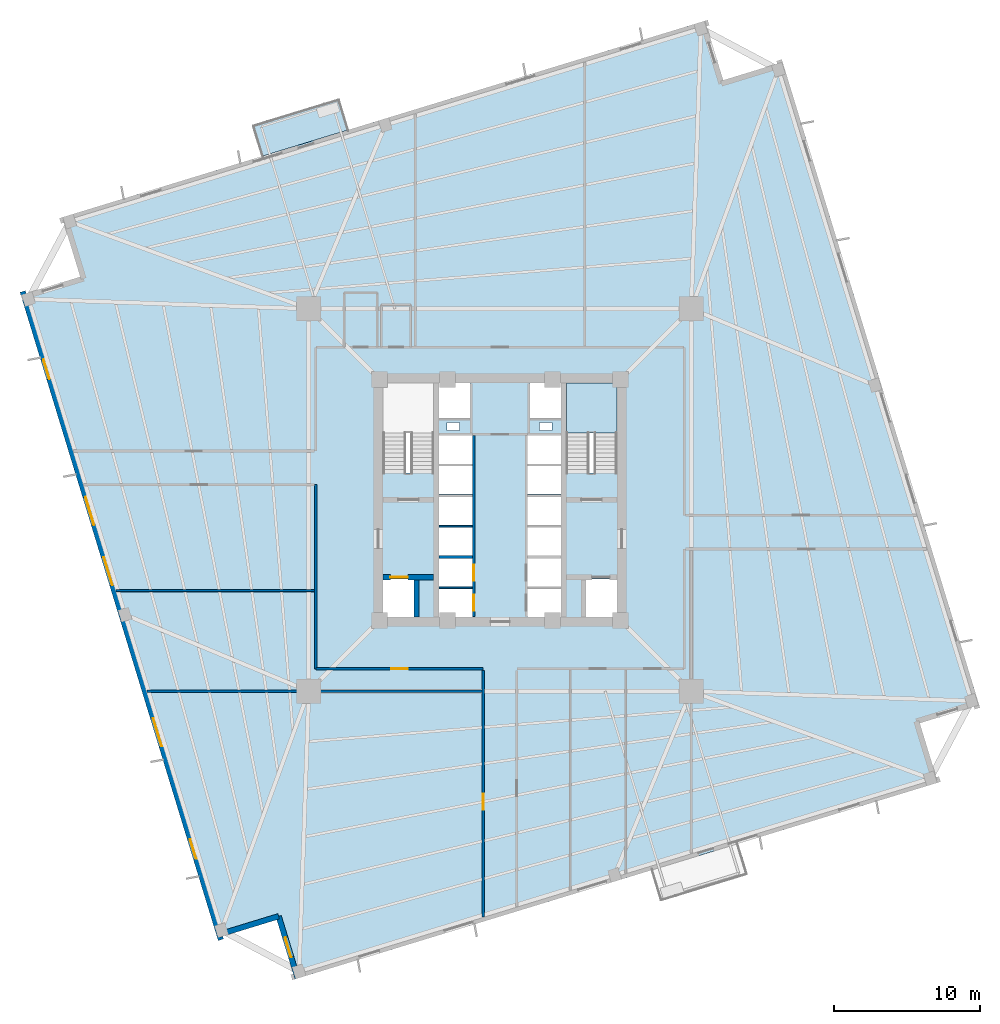
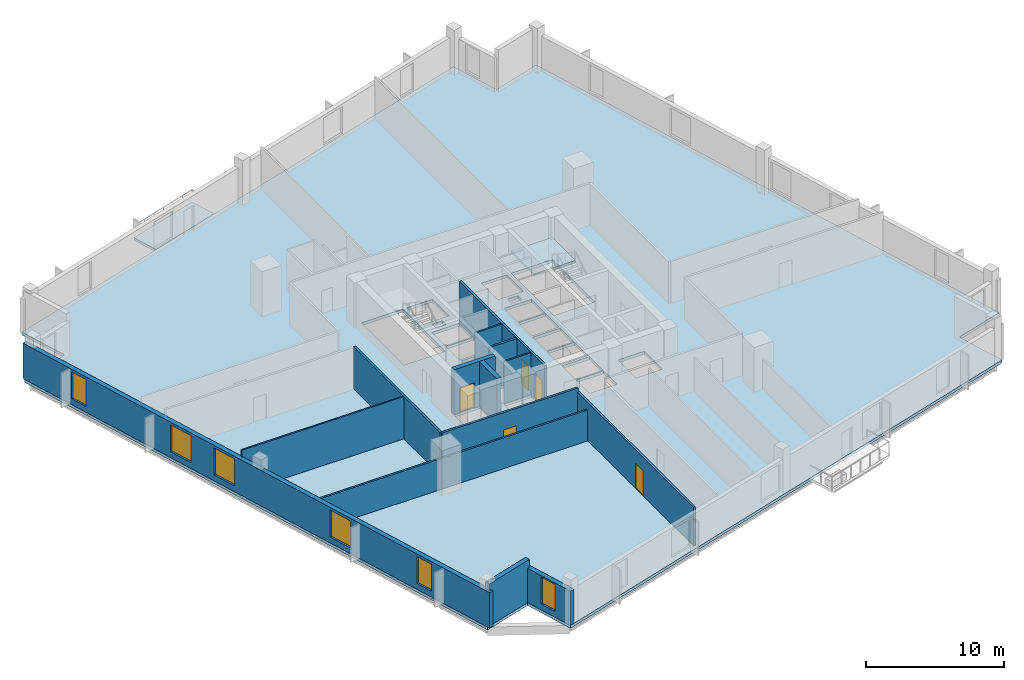
# One storey, part 2 of 8: 14 walls, 6 windows, 5 doors, 3 slabs, 11 openings, 1 element without a shape of its own.
"""IFC4 building model written with IfcOpenShell, lengths in metres."""

from ifc_helpers import new_model, si_unit, direction, frame, frame_2d, origin, place, context, subcontext, project, spatial, polyline, rectangle, outline, extrude, source, transform, mapped, material, layer, layer_set, type_object, element, fill, aggregate, save


model = new_model("IFC4")

# Units and contexts
model_context = context("Model", 3, precision=1e-05, world=origin(), true_north=direction((0.0, 1.0)))
body_context = subcontext(model_context, "Body", "Model", "MODEL_VIEW")
ifc_project = project(units=[si_unit("LENGTHUNIT", "METRE"), si_unit("AREAUNIT", "SQUARE_METRE"), si_unit("VOLUMEUNIT", "CUBIC_METRE"), si_unit("PLANEANGLEUNIT", "RADIAN"), si_unit("MASSUNIT", "GRAM", prefix="KILO"), si_unit("THERMODYNAMICTEMPERATUREUNIT", "KELVIN")], contexts=[model_context])

# Site, building, storey
site_placement = place(None, origin())
site = spatial("IfcSite", under=ifc_project, at=site_placement, CompositionType="ELEMENT")
building_placement = place(site_placement, origin())
building = spatial("IfcBuilding", under=site, at=building_placement, Name="Kosmvard Interchange Tower", CompositionType="ELEMENT")
storey_placement = place(building_placement, frame((0.0, 0.0, 111.199951171875)))
storey = spatial("IfcBuildingStorey", under=building, at=storey_placement, Name="L26", CompositionType="ELEMENT", Elevation=111.199951171875)

# Slab
ifc_material_1 = material(Name="Concrete C50/60", Category="concrete")
ifc_layer_1 = layer(ifc_material_1, 0.260009765625, Name="Concrete C50/60")
ifc_layer_set_1 = layer_set([ifc_layer_1], Name="Concrete C50/60")
slab_type_1 = type_object("IfcSlabType", Name="Mid-Rise Office Composite Slab 260 C50/60", PredefinedType="FLOOR", material=ifc_layer_set_1)
slab_1_placement = place(storey_placement, frame((0.0, 0.0, -0.260009765625)))
element("IfcSlab", 1, at=slab_1_placement, inside=storey, type_object=slab_type_1, Name="L26 Structural Floor Slab", PredefinedType="FLOOR", context=body_context, shape_type="SweptSolid", body=[
    extrude(outline(polyline([(-14.02783203125, -32.783935546875), (29.962158203125, -19.334716796875), (28.719482421875, -15.2705078125), (32.783935546875, -14.02783203125), (19.334716796875, 29.962158203125), (15.2705078125, 28.719482421875), (14.02783203125, 32.783935546875), (-29.962158203125, 19.334716796875), (-28.719482421875, 15.2705078125), (-32.783935546875, 14.02783203125), (-19.334716796875, -29.962158203125), (-15.2705078125, -28.719482421875), (-14.02783203125, -32.783935546875)]), holes=[polyline([(-8.0, 1.8349609375), (-4.5400390625, 1.8349609375), (-4.5400390625, 8.0), (-8.0, 8.0), (-8.0, 1.8349609375)]), polyline([(4.5400390625, 1.8349609375), (8.0, 1.8349609375), (8.0, 8.0), (4.5400390625, 8.0), (4.5400390625, 1.8349609375)]), polyline([(-8.0, -8.0), (-5.800048828125, -8.0), (-5.800048828125, -5.39990234375), (-8.0, -5.39990234375), (-8.0, -8.0)]), polyline([(5.800048828125, -8.0), (8.0, -8.0), (8.0, -5.39990234375), (5.800048828125, -5.39990234375), (5.800048828125, -8.0)]), polyline([(-4.179931640625, -8.0), (-1.8798828125, -8.0), (-1.8798828125, -6.06005859375), (-4.179931640625, -6.06005859375), (-4.179931640625, -8.0)]), polyline([(-4.179931640625, -5.93994140625), (-1.8798828125, -5.93994140625), (-1.8798828125, -4.0), (-4.179931640625, -4.0), (-4.179931640625, -5.93994140625)]), polyline([(1.8798828125, -8.0), (4.179931640625, -8.0), (4.179931640625, -6.06005859375), (1.8798828125, -6.06005859375), (1.8798828125, -8.0)]), polyline([(1.8798828125, -5.93994140625), (4.179931640625, -5.93994140625), (4.179931640625, -4.0), (1.8798828125, -4.0), (1.8798828125, -5.93994140625)]), polyline([(-4.179931640625, -3.800048828125), (-1.8798828125, -3.800048828125), (-1.8798828125, -1.860107421875), (-4.179931640625, -1.860107421875), (-4.179931640625, -3.800048828125)]), polyline([(-4.179931640625, -1.739990234375), (-1.8798828125, -1.739990234375), (-1.8798828125, 0.199951171875), (-4.179931640625, 0.199951171875), (-4.179931640625, -1.739990234375)]), polyline([(1.8798828125, -3.800048828125), (4.179931640625, -3.800048828125), (4.179931640625, -1.860107421875), (1.8798828125, -1.860107421875), (1.8798828125, -3.800048828125)]), polyline([(1.8798828125, -1.739990234375), (4.179931640625, -1.739990234375), (4.179931640625, 0.199951171875), (1.8798828125, 0.199951171875), (1.8798828125, -1.739990234375)]), polyline([(-4.179931640625, 0.39990234375), (-1.8798828125, 0.39990234375), (-1.8798828125, 2.340087890625), (-4.179931640625, 2.340087890625), (-4.179931640625, 0.39990234375)]), polyline([(-4.179931640625, 2.4599609375), (-1.8798828125, 2.4599609375), (-1.8798828125, 4.39990234375), (-4.179931640625, 4.39990234375), (-4.179931640625, 2.4599609375)]), polyline([(1.8798828125, 0.39990234375), (4.179931640625, 0.39990234375), (4.179931640625, 2.340087890625), (1.8798828125, 2.340087890625), (1.8798828125, 0.39990234375)]), polyline([(1.8798828125, 2.4599609375), (4.179931640625, 2.4599609375), (4.179931640625, 4.39990234375), (1.8798828125, 4.39990234375), (1.8798828125, 2.4599609375)]), polyline([(-4.179931640625, 5.60009765625), (-2.0400390625, 5.60009765625), (-2.0400390625, 8.0), (-4.179931640625, 8.0), (-4.179931640625, 5.60009765625)]), polyline([(2.0400390625, 5.60009765625), (4.179931640625, 5.60009765625), (4.179931640625, 8.0), (2.0400390625, 8.0), (2.0400390625, 5.60009765625)]), polyline([(-3.614990234375, 4.739990234375), (-2.764892578125, 4.739990234375), (-2.764892578125, 5.2900390625), (-3.614990234375, 5.2900390625), (-3.614990234375, 4.739990234375)]), polyline([(2.715087890625, 4.739990234375), (3.56494140625, 4.739990234375), (3.56494140625, 5.2900390625), (2.715087890625, 5.2900390625), (2.715087890625, 4.739990234375)])]), origin(), (0.0, 0.0, 1.0), 0.260009765625),
])

# Stair, slab
stair_type = type_object("IfcStairType", Name="Dog-Leg Core Exit Stair H4000 C50/60", PredefinedType="HALF_TURN_STAIR", material=ifc_material_1)
stair_placement = place(storey_placement, origin())
stair = element("IfcStair", 2, at=stair_placement, inside=storey, type_object=stair_type, Name="L26 Protected Exit Stair ST-2", PredefinedType="HALF_TURN_STAIR")
ifc_layer_2 = layer(ifc_material_1, 0.199951171875, Name="Concrete C50/60")
ifc_layer_set_2 = layer_set([ifc_layer_2], Name="Concrete C50/60")
slab_type_2 = type_object("IfcSlabType", Name="Stair Half-Landing Slab 200 C50/60", PredefinedType="LANDING", material=ifc_layer_set_2)
slab_2_placement = place(storey_placement, frame((0.0, 0.0, 1.800048828125)))
slab_2 = element("IfcSlab", 3, at=slab_2_placement, type_object=slab_type_2, Name="ST-2 landing 1", PredefinedType="LANDING", context=body_context, shape_type="SweptSolid", body=[
    extrude(outline(polyline([(8.0, 4.60009765625), (8.0, 8.0), (4.5400390625, 8.0), (4.5400390625, 4.60009765625), (8.0, 4.60009765625)])), origin(), (0.0, 0.0, 1.0), 0.199951171875),
])
aggregate(stair, [slab_2])

# Slab
ifc_layer_3 = layer(ifc_material_1, 0.22998046875, Name="Concrete C50/60")
ifc_layer_set_3 = layer_set([ifc_layer_3], Name="Concrete C50/60")
slab_type_3 = type_object("IfcSlabType", Name="Tree-Planter Cantilever Balcony Slab 230 C50/60", PredefinedType="FLOOR", material=ifc_layer_set_3)
slab_3_placement = place(storey_placement, frame((0.0, 0.0, -0.22998046875)))
element("IfcSlab", 4, at=slab_3_placement, inside=storey, type_object=slab_type_3, Name="L26 Outdoor Terrace Balcony Slab BAL-L26-NE", PredefinedType="FLOOR", context=body_context, shape_type="SweptSolid", body=[
    extrude(outline(polyline([(-16.286865234375, 23.515625), (-10.35791015625, 25.328369140625), (-11.001220703125, 27.43212890625), (-16.93017578125, 25.61962890625), (-16.286865234375, 23.515625)])), origin(), (0.0, 0.0, 1.0), 0.22998046875),
])

# Wall
ifc_material_2 = material(Name="Acoustic gypsum partition system")
ifc_layer_4 = layer(ifc_material_2, 0.14990234375, Name="Acoustic gypsum partition system")
ifc_layer_set_4 = layer_set([ifc_layer_4], Name="Acoustic gypsum partition system")
wall_type_1 = type_object("IfcWallType", Name="Acoustic Suite & Meeting Partition 150", PredefinedType="PARTITIONING", material=ifc_layer_set_4)
wall_1_placement = place(storey_placement, frame((-24.16650390625, -13.0810546875, 0.0), z_axis=(0.0, 0.0, 1.0), x_axis=(1.0, 0.0, 0.0)))
element("IfcWall", 5, at=wall_1_placement, inside=storey, type_object=wall_type_1, Name="L26 Room Partition 06.1", PredefinedType="PARTITIONING", context=body_context, shape_type="SweptSolid", body=[
    extrude(rectangle(XDim=22.92138671875, YDim=0.14990234375, at=frame_2d((11.460693359375, 0.0))), origin(), (0.0, 0.0, 1.0), 2.73193359375),
])

# Wall, openings, doors
ifc_material_3 = material(Name="Fire-rated gypsum partition system")
ifc_layer_5 = layer(ifc_material_3, 0.179931640625, Name="Fire-rated gypsum partition system")
ifc_layer_set_5 = layer_set([ifc_layer_5], Name="Fire-rated gypsum partition system")
wall_type_2 = type_object("IfcWallType", Name="Corridor & Hotel Compartment Partition 180", PredefinedType="PARTITIONING", material=ifc_layer_set_5)
wall_2_placement = place(storey_placement, frame((-1.7900390625, -7.97998046875, 0.0), z_axis=(0.0, 0.0, 1.0), x_axis=(0.0, 1.0, 0.0)))
wall_2 = element("IfcWall", 6, at=wall_2_placement, inside=storey, type_object=wall_type_2, Name="L26 West Lift Bank Front Wall", PredefinedType="PARTITIONING", context=body_context, shape_type="SweptSolid", body=[
    extrude(rectangle(XDim=12.3798828125, YDim=0.179931640625, at=frame_2d((6.18994140625, 0.0))), origin(), (0.0, 0.0, 1.0), 3.739990234375),
])
opening_1_placement = place(wall_2_placement, frame((0.39990234375, 0.0, 0.0)))
opening_1 = element("IfcOpeningElement", 7, at=opening_1_placement, cuts=wall_2, Name="Opening LD-PL-L1-L26", PredefinedType="OPENING", context=body_context, shape_type="SweptSolid", body=[
    extrude(rectangle(XDim=1.10009765625, YDim=2.199951171875, at=frame_2d((0.550048828125, 1.10009765625))), frame((0.0, 0.10009765625, 0.0), z_axis=(0.0, -1.0, 0.0), x_axis=(1.0, 0.0, 0.0)), (0.0, 0.0, 1.0), 0.199951171875),
])
opening_2_placement = place(wall_2_placement, frame((2.4599609375, 0.0, 0.0)))
opening_2 = element("IfcOpeningElement", 8, at=opening_2_placement, cuts=wall_2, Name="Opening LD-PL-L2-L26", PredefinedType="OPENING", context=body_context, shape_type="SweptSolid", body=[
    extrude(rectangle(XDim=1.10009765625, YDim=2.199951171875, at=frame_2d((0.550048828125, 1.10009765625))), frame((0.0, 0.10009765625, 0.0), z_axis=(0.0, -1.0, 0.0), x_axis=(1.0, 0.0, 0.0)), (0.0, 0.0, 1.0), 0.199951171875),
])
ifc_material_4 = material(Name="Brushed stainless steel sliding leaf", Category="steel")
door_type_1 = type_object("IfcDoorType", Name="Passenger Lift Sliding Landing Door 1100x2200 EI60", OperationType="DOUBLE_DOOR_SLIDING", PredefinedType="DOOR", material=ifc_material_4)
shared_shape_1 = source(origin(), body_context, "Body", "SweptSolid", [
    extrude(rectangle(XDim=1.10009765625, YDim=2.199951171875, at=frame_2d((0.550048828125, 1.10009765625))), frame((0.0, 0.02490234375, 0.0), z_axis=(0.0, -1.0, 0.0), x_axis=(1.0, 0.0, 0.0)), (0.0, 0.0, 1.0), 0.050048828125),
])
door_1_placement = place(opening_1_placement, frame((1.10009765625, 0.0, 0.0), z_axis=(0.0, 0.0, 1.0), x_axis=(-1.0, 0.0, 0.0)))
door_1 = element("IfcDoor", 9, at=door_1_placement, inside=storey, type_object=door_type_1, Name="Lift PL-L1 Landing Door L26", OperationType="DOUBLE_DOOR_SLIDING", OverallHeight=2.199951171875, OverallWidth=1.10009765625, PredefinedType="DOOR", context=body_context, shape_type="MappedRepresentation", body=[
    mapped(shared_shape_1, transform((0.0, 0.0, 0.0), scale=1.0)),
])
fill(opening_1, door_1)
door_2_placement = place(opening_2_placement, frame((1.10009765625, 0.0, 0.0), z_axis=(0.0, 0.0, 1.0), x_axis=(-1.0, 0.0, 0.0)))
door_2 = element("IfcDoor", 10, at=door_2_placement, inside=storey, type_object=door_type_1, Name="Lift PL-L2 Landing Door L26", OperationType="DOUBLE_DOOR_SLIDING", OverallHeight=2.199951171875, OverallWidth=1.10009765625, PredefinedType="DOOR", context=body_context, shape_type="MappedRepresentation", body=[
    mapped(shared_shape_1, transform((0.0, 0.0, 0.0), scale=1.0)),
])
fill(opening_2, door_2)

# Wall, opening, door
wall_3_placement = place(storey_placement, frame((-12.60009765625, -11.550048828125, 0.0), z_axis=(0.0, 0.0, 1.0), x_axis=(1.0, 0.0, 0.0)))
wall_3 = element("IfcWall", 11, at=wall_3_placement, inside=storey, type_object=wall_type_2, Name="L26 Corridor Wall CSW", PredefinedType="PARTITIONING", context=body_context, shape_type="SweptSolid", body=[
    extrude(rectangle(XDim=11.4501953125, YDim=0.179931640625, at=frame_2d((5.72509765625, 0.0))), origin(), (0.0, 0.0, 1.0), 3.739990234375),
])
opening_3_placement = place(wall_3_placement, frame((5.175048828125, 0.0, 0.0)))
opening_3 = element("IfcOpeningElement", 12, at=opening_3_placement, cuts=wall_3, Name="Opening L26-D11", PredefinedType="OPENING", context=body_context, shape_type="SweptSolid", body=[
    extrude(rectangle(XDim=1.10009765625, YDim=2.199951171875, at=frame_2d((0.550048828125, 1.10009765625))), frame((0.0, 0.10009765625, 0.0), z_axis=(0.0, -1.0, 0.0), x_axis=(1.0, 0.0, 0.0)), (0.0, 0.0, 1.0), 0.199951171875),
])
ifc_material_5 = material(Name="Engineered oak fire-rated timber", Category="wood")
door_type_2 = type_object("IfcDoorType", Name="Office Suite Entrance Door 1100x2200 FD30S", OperationType="NOTDEFINED", PredefinedType="DOOR", material=ifc_material_5)
door_3_placement = place(opening_3_placement, frame((1.10009765625, 0.0, 0.0), z_axis=(0.0, 0.0, 1.0), x_axis=(-1.0, 0.0, 0.0)))
door_3 = element("IfcDoor", 13, at=door_3_placement, inside=storey, type_object=door_type_2, Name="L26 West Analytics Office 2 Door", OperationType="SINGLE_SWING_LEFT", OverallHeight=2.199951171875, OverallWidth=1.10009765625, PredefinedType="DOOR", context=body_context, shape_type="MappedRepresentation", body=[
    mapped(shared_shape_1, transform((0.0, 0.0, 0.0), scale=1.0)),
])
fill(opening_3, door_3)

# Wall
wall_4_placement = place(storey_placement, frame((-12.60009765625, -11.550048828125, 0.0), z_axis=(0.0, 0.0, 1.0), x_axis=(0.0, 1.0, 0.0)))
element("IfcWall", 14, at=wall_4_placement, inside=storey, type_object=wall_type_2, Name="L26 Corridor Wall CWS", PredefinedType="PARTITIONING", context=body_context, shape_type="SweptSolid", body=[
    extrude(rectangle(XDim=12.60009765625, YDim=0.179931640625, at=frame_2d((6.300048828125, 0.0))), origin(), (0.0, 0.0, 1.0), 3.739990234375),
])

# Wall, opening, door
wall_5_placement = place(storey_placement, frame((-1.14990234375, -28.517333984375, 0.0), z_axis=(0.0, 0.0, 1.0), x_axis=(0.0, 1.0, 0.0)))
wall_5 = element("IfcWall", 15, at=wall_5_placement, inside=storey, type_object=wall_type_2, Name="L26 Corridor Wall SSW", PredefinedType="PARTITIONING", context=body_context, shape_type="SweptSolid", body=[
    extrude(rectangle(XDim=16.867431640625, YDim=0.179931640625, at=frame_2d((8.43359375, 0.0))), origin(), (0.0, 0.0, 1.0), 3.41015625),
])
opening_4_placement = place(wall_5_placement, frame((7.33251953125, 0.0, 0.0)))
opening_4 = element("IfcOpeningElement", 16, at=opening_4_placement, cuts=wall_5, Name="Opening L26-D12", PredefinedType="OPENING", context=body_context, shape_type="SweptSolid", body=[
    extrude(rectangle(XDim=1.10009765625, YDim=2.199951171875, at=frame_2d((0.550048828125, 1.10009765625))), frame((0.0, 0.10009765625, 0.0), z_axis=(0.0, -1.0, 0.0), x_axis=(1.0, 0.0, 0.0)), (0.0, 0.0, 1.0), 0.199951171875),
])
door_4_placement = place(opening_4_placement, origin())
door_4 = element("IfcDoor", 17, at=door_4_placement, inside=storey, type_object=door_type_2, Name="L26 South-West Trading Office 3 Door", OperationType="SINGLE_SWING_RIGHT", OverallHeight=2.199951171875, OverallWidth=1.10009765625, PredefinedType="DOOR", context=body_context, shape_type="MappedRepresentation", body=[
    mapped(shared_shape_1, transform((0.0, 0.0, 0.0), scale=1.0)),
])
fill(opening_4, door_4)

# Wall, openings, windows
ifc_material_6 = material(Name="Precast concrete C45/55", Category="concrete")
ifc_layer_6 = layer(ifc_material_6, 0.3798828125, Name="Precast concrete C45/55")
ifc_layer_set_6 = layer_set([ifc_layer_6], Name="Precast concrete C45/55")
wall_type_3 = type_object("IfcWallType", Name="Lower Tower Precast Pier Wall 380 C45/55", PredefinedType="STANDARD", material=ifc_layer_set_6)
wall_6_placement = place(storey_placement, frame((-32.65771484375, 14.26513671875, 0.0), z_axis=(0.0, 0.0, 1.0), x_axis=(0.292373127906, -0.956304320851, 0.0)))
wall_6 = element("IfcWall", 18, at=wall_6_placement, inside=storey, type_object=wall_type_3, Name="L26 Precast Facade Wall F-W", PredefinedType="STANDARD", context=body_context, shape_type="SweptSolid", body=[
    extrude(rectangle(XDim=46.380126953125, YDim=0.3798828125, at=frame_2d((23.18994140625, 0.0))), origin(), (0.0, 0.0, 1.0), 3.14013671875),
])
opening_5_placement = place(wall_6_placement, frame((4.865478515625, 0.0, 0.510009765625)))
opening_5 = element("IfcOpeningElement", 19, at=opening_5_placement, cuts=wall_6, Name="Opening L26-W15", PredefinedType="OPENING", context=body_context, shape_type="SweptSolid", body=[
    extrude(rectangle(XDim=1.39990234375, YDim=2.39990234375, at=frame_2d((0.699951171875, 1.199951171875))), frame((0.0, 0.199951171875, 0.0), z_axis=(0.0, -1.0, 0.0), x_axis=(1.0, 0.0, 0.0)), (0.0, 0.0, 1.0), 0.39990234375),
])
opening_6_placement = place(wall_6_placement, frame((14.7001953125, 0.0, 0.510009765625)))
opening_6 = element("IfcOpeningElement", 20, at=opening_6_placement, cuts=wall_6, Name="Opening L26-W16", PredefinedType="OPENING", context=body_context, shape_type="SweptSolid", body=[
    extrude(rectangle(XDim=2.0, YDim=2.39990234375, at=frame_2d((1.0, 1.199951171875))), frame((0.0, 0.199951171875, 0.0), z_axis=(0.0, -1.0, 0.0), x_axis=(1.0, 0.0, 0.0)), (0.0, 0.0, 1.0), 0.39990234375),
])
opening_7_placement = place(wall_6_placement, frame((19.012451171875, 0.0, 0.510009765625)))
opening_7 = element("IfcOpeningElement", 21, at=opening_7_placement, cuts=wall_6, Name="Opening L26-W17", PredefinedType="OPENING", context=body_context, shape_type="SweptSolid", body=[
    extrude(rectangle(XDim=2.0, YDim=2.39990234375, at=frame_2d((1.0, 1.199951171875))), frame((0.0, 0.199951171875, 0.0), z_axis=(0.0, -1.0, 0.0), x_axis=(1.0, 0.0, 0.0)), (0.0, 0.0, 1.0), 0.39990234375),
])
opening_8_placement = place(wall_6_placement, frame((30.538330078125, 0.0, 0.510009765625)))
opening_8 = element("IfcOpeningElement", 22, at=opening_8_placement, cuts=wall_6, Name="Opening L26-W18", PredefinedType="OPENING", context=body_context, shape_type="SweptSolid", body=[
    extrude(rectangle(XDim=2.0, YDim=2.39990234375, at=frame_2d((1.0, 1.199951171875))), frame((0.0, 0.199951171875, 0.0), z_axis=(0.0, -1.0, 0.0), x_axis=(1.0, 0.0, 0.0)), (0.0, 0.0, 1.0), 0.39990234375),
])
opening_9_placement = place(wall_6_placement, frame((39.186767578125, 0.0, 0.510009765625)))
opening_9 = element("IfcOpeningElement", 23, at=opening_9_placement, cuts=wall_6, Name="Opening L26-W19", PredefinedType="OPENING", context=body_context, shape_type="SweptSolid", body=[
    extrude(rectangle(XDim=1.39990234375, YDim=2.39990234375, at=frame_2d((0.699951171875, 1.199951171875))), frame((0.0, 0.199951171875, 0.0), z_axis=(0.0, -1.0, 0.0), x_axis=(1.0, 0.0, 0.0)), (0.0, 0.0, 1.0), 0.39990234375),
])
ifc_material_7 = material(Name="Low-E solar-control double glazing", Category="glass")
window_type_1 = type_object("IfcWindowType", Name="Notched Corner Feature Window 1400x2400", PartitioningType="SINGLE_PANEL", PredefinedType="WINDOW", material=ifc_material_7)
shared_shape_2 = source(origin(), body_context, "Body", "SweptSolid", [
    extrude(rectangle(XDim=1.39990234375, YDim=2.39990234375, at=frame_2d((0.699951171875, 1.199951171875))), frame((0.0, 0.030029296875, 0.0), z_axis=(0.0, -1.0, 0.0), x_axis=(1.0, 0.0, 0.0)), (0.0, 0.0, 1.0), 0.06005859375),
])
window_1_placement = place(opening_5_placement, origin())
window_1 = element("IfcWindow", 24, at=window_1_placement, inside=storey, type_object=window_type_1, Name="L26 Facade Punched Window 15", OverallHeight=2.39990234375, OverallWidth=1.39990234375, PartitioningType="SINGLE_PANEL", PredefinedType="WINDOW", context=body_context, shape_type="MappedRepresentation", body=[
    mapped(shared_shape_2, transform((0.0, 0.0, 0.0), scale=1.0)),
])
fill(opening_5, window_1)
window_2_placement = place(opening_9_placement, origin())
window_2 = element("IfcWindow", 25, at=window_2_placement, inside=storey, type_object=window_type_1, Name="L26 Facade Punched Window 19", OverallHeight=2.39990234375, OverallWidth=1.39990234375, PartitioningType="SINGLE_PANEL", PredefinedType="WINDOW", context=body_context, shape_type="MappedRepresentation", body=[
    mapped(shared_shape_2, transform((0.0, 0.0, 0.0), scale=1.0)),
])
fill(opening_9, window_2)
window_type_2 = type_object("IfcWindowType", Name="Zone 2 Office Punched Window 2000x2400", PartitioningType="SINGLE_PANEL", PredefinedType="WINDOW", material=ifc_material_7)
shared_shape_3 = source(origin(), body_context, "Body", "SweptSolid", [
    extrude(rectangle(XDim=2.0, YDim=2.39990234375, at=frame_2d((1.0, 1.199951171875))), frame((0.0, 0.030029296875, 0.0), z_axis=(0.0, -1.0, 0.0), x_axis=(1.0, 0.0, 0.0)), (0.0, 0.0, 1.0), 0.06005859375),
])
window_3_placement = place(opening_6_placement, origin())
window_3 = element("IfcWindow", 26, at=window_3_placement, inside=storey, type_object=window_type_2, Name="L26 Facade Punched Window 16", OverallHeight=2.39990234375, OverallWidth=2.0, PartitioningType="SINGLE_PANEL", PredefinedType="WINDOW", context=body_context, shape_type="MappedRepresentation", body=[
    mapped(shared_shape_3, transform((0.0, 0.0, 0.0), scale=1.0)),
])
fill(opening_6, window_3)
window_4_placement = place(opening_7_placement, origin())
window_4 = element("IfcWindow", 27, at=window_4_placement, inside=storey, type_object=window_type_2, Name="L26 Facade Punched Window 17", OverallHeight=2.39990234375, OverallWidth=2.0, PartitioningType="SINGLE_PANEL", PredefinedType="WINDOW", context=body_context, shape_type="MappedRepresentation", body=[
    mapped(shared_shape_3, transform((0.0, 0.0, 0.0), scale=1.0)),
])
fill(opening_7, window_4)
window_5_placement = place(opening_8_placement, origin())
window_5 = element("IfcWindow", 28, at=window_5_placement, inside=storey, type_object=window_type_2, Name="L26 Facade Punched Window 18", OverallHeight=2.39990234375, OverallWidth=2.0, PartitioningType="SINGLE_PANEL", PredefinedType="WINDOW", context=body_context, shape_type="MappedRepresentation", body=[
    mapped(shared_shape_3, transform((0.0, 0.0, 0.0), scale=1.0)),
])
fill(opening_8, window_5)

# Wall
wall_7_placement = place(storey_placement, frame((-19.20849609375, -29.724853515625, 0.0), z_axis=(0.0, 0.0, 1.0), x_axis=(0.956312764915, 0.292345507338, 0.0)))
element("IfcWall", 29, at=wall_7_placement, inside=storey, type_object=wall_type_3, Name="L26 Precast Facade Wall N-SW1", PredefinedType="STANDARD", context=body_context, shape_type="SweptSolid", body=[
    extrude(rectangle(XDim=4.249755859375, YDim=0.3798828125, at=frame_2d((2.125, 0.0))), origin(), (0.0, 0.0, 1.0), 3.739990234375),
])

# Wall, opening, window
wall_8_placement = place(storey_placement, frame((-15.144287109375, -28.482421875, 0.0), z_axis=(0.0, 0.0, 1.0), x_axis=(0.292373601522, -0.956304176051, 0.0)))
wall_8 = element("IfcWall", 30, at=wall_8_placement, inside=storey, type_object=wall_type_3, Name="L26 Precast Facade Wall N-SW2", PredefinedType="STANDARD", context=body_context, shape_type="SweptSolid", body=[
    extrude(rectangle(XDim=4.43994140625, YDim=0.3798828125, at=frame_2d((2.219970703125, 0.0))), origin(), (0.0, 0.0, 1.0), 3.0400390625),
])
opening_10_placement = place(wall_8_placement, frame((1.52001953125, 0.0, 0.510009765625)))
opening_10 = element("IfcOpeningElement", 31, at=opening_10_placement, cuts=wall_8, Name="Opening L26-W23", PredefinedType="OPENING", context=body_context, shape_type="SweptSolid", body=[
    extrude(rectangle(XDim=1.39990234375, YDim=2.39990234375, at=frame_2d((0.699951171875, 1.199951171875))), frame((0.0, 0.199951171875, 0.0), z_axis=(0.0, -1.0, 0.0), x_axis=(1.0, 0.0, 0.0)), (0.0, 0.0, 1.0), 0.39990234375),
])
window_6_placement = place(opening_10_placement, origin())
window_6 = element("IfcWindow", 32, at=window_6_placement, inside=storey, type_object=window_type_1, Name="L26 Corner Notch Window 23", OverallHeight=2.39990234375, OverallWidth=1.39990234375, PartitioningType="SINGLE_PANEL", PredefinedType="WINDOW", context=body_context, shape_type="MappedRepresentation", body=[
    mapped(shared_shape_2, transform((0.0, 0.0, 0.0), scale=1.0)),
])
fill(opening_10, window_6)

# Walls
ifc_material_8 = material(Name="Gypsum board partition system")
ifc_layer_7 = layer(ifc_material_8, 0.1201171875, Name="Gypsum board partition system")
ifc_layer_set_7 = layer_set([ifc_layer_7], Name="Gypsum board partition system")
wall_type_4 = type_object("IfcWallType", Name="Office Cellular Partition 120", PredefinedType="PARTITIONING", material=ifc_layer_set_7)
wall_9_placement = place(storey_placement, frame((-26.270263671875, -6.199951171875, 0.0), z_axis=(0.0, 0.0, 1.0), x_axis=(1.0, 0.0, 0.0)))
element("IfcWall", 33, at=wall_9_placement, inside=storey, type_object=wall_type_4, Name="L26 Room Partition 07.1", PredefinedType="PARTITIONING", context=body_context, shape_type="SweptSolid", body=[
    extrude(rectangle(XDim=13.5751953125, YDim=0.1201171875, at=frame_2d((6.78759765625, 0.0))), origin(), (0.0, 0.0, 1.0), 3.739990234375),
])
ifc_material_9 = material(Name="Concrete blockwork masonry", Category="masonry")
ifc_layer_8 = layer(ifc_material_9, 0.179931640625, Name="Concrete blockwork masonry")
ifc_layer_set_8 = layer_set([ifc_layer_8], Name="Concrete blockwork masonry")
wall_type_5 = type_object("IfcWallType", Name="Riser & Lift Bank Divider Wall 180", PredefinedType="PARTITIONING", material=ifc_layer_set_8)
wall_10_placement = place(storey_placement, frame((-4.169921875, -3.89990234375, 0.0), z_axis=(0.0, 0.0, 1.0), x_axis=(1.0, 0.0, 0.0)))
element("IfcWall", 34, at=wall_10_placement, inside=storey, type_object=wall_type_5, Name="L26 West Bank Divider BD1", PredefinedType="PARTITIONING", context=body_context, shape_type="SweptSolid", body=[
    extrude(rectangle(XDim=2.280029296875, YDim=0.179931640625, at=frame_2d((1.14013671875, 0.0))), origin(), (0.0, 0.0, 1.0), 3.739990234375),
])
ifc_material_10 = material(Name="Fire-rated gypsum shaftwall system")
ifc_layer_9 = layer(ifc_material_10, 0.1201171875, Name="Fire-rated gypsum shaftwall system")
ifc_layer_set_9 = layer_set([ifc_layer_9], Name="Fire-rated gypsum shaftwall system")
wall_type_6 = type_object("IfcWallType", Name="Shaft & Riser Fire Partition 120 EI60", PredefinedType="PARTITIONING", material=ifc_layer_set_9)
for number, where, z_axis, x_axis, name in (
    (35, (-4.159912109375, -6.0, 0.0), (0.0, 0.0, 1.0), (1.0, 0.0, 0.0), "L26 Shaft Divider PL-L1"),
    (36, (-4.159912109375, -1.800048828125, 0.0), (0.0, 0.0, 1.0), (1.0, 0.0, 0.0), "L26 Shaft Divider PL-M1"),
):
    element("IfcWall", number, at=place(storey_placement, frame(where, z_axis=z_axis, x_axis=x_axis)), inside=storey, type_object=wall_type_6, Name=name, PredefinedType="PARTITIONING", context=body_context, shape_type="SweptSolid", body=[
        extrude(rectangle(XDim=2.260009765625, YDim=0.1201171875, at=frame_2d((1.1298828125, 0.0))), origin(), (0.0, 0.0, 1.0), 3.739990234375),
    ])

# Wall, opening, door
ifc_material_11 = material(Name="Concrete C60/75", Category="concrete")
ifc_layer_10 = layer(ifc_material_11, 0.360107421875, Name="Concrete C60/75")
ifc_layer_set_10 = layer_set([ifc_layer_10], Name="Concrete C60/75")
wall_type_7 = type_object("IfcWallType", Name="Stair & Lift Shaft Shear Wall 360 C60/75", PredefinedType="SHEAR", material=ifc_layer_set_10)
wall_11_placement = place(storey_placement, frame((-8.0, -5.280029296875, 0.0), z_axis=(0.0, 0.0, 1.0), x_axis=(1.0, 0.0, 0.0)))
wall_11 = element("IfcWall", 37, at=wall_11_placement, inside=storey, type_object=wall_type_7, Name="L26 Shaft Shear Wall SW-FF1", PredefinedType="SHEAR", context=body_context, shape_type="SweptSolid", body=[
    extrude(rectangle(XDim=3.4599609375, YDim=0.360107421875, at=frame_2d((1.72998046875, 0.0))), origin(), (0.0, 0.0, 1.0), 4.0),
])
opening_11_placement = place(wall_11_placement, frame((0.5, 0.0, 0.0)))
opening_11 = element("IfcOpeningElement", 38, at=opening_11_placement, cuts=wall_11, Name="Opening LD-FF-1-L26", PredefinedType="OPENING", context=body_context, shape_type="SweptSolid", body=[
    extrude(rectangle(XDim=1.199951171875, YDim=2.25, at=frame_2d((0.60009765625, 1.125))), frame((0.0, 0.18994140625, 0.0), z_axis=(0.0, -1.0, 0.0), x_axis=(1.0, 0.0, 0.0)), (0.0, 0.0, 1.0), 0.380126953125),
])
door_type_3 = type_object("IfcDoorType", Name="Firefighting Lift Sliding Landing Door 1200x2250 EI120", OperationType="DOUBLE_DOOR_SLIDING", PredefinedType="DOOR", material=ifc_material_4)
shared_shape_4 = source(origin(), body_context, "Body", "SweptSolid", [
    extrude(rectangle(XDim=1.199951171875, YDim=2.25, at=frame_2d((0.60009765625, 1.125))), frame((0.0, 0.02490234375, 0.0), z_axis=(0.0, -1.0, 0.0), x_axis=(1.0, 0.0, 0.0)), (0.0, 0.0, 1.0), 0.050048828125),
])
door_5_placement = place(opening_11_placement, origin())
door_5 = element("IfcDoor", 39, at=door_5_placement, inside=storey, type_object=door_type_3, Name="Lift FF-1 Landing Door L26", OperationType="DOUBLE_DOOR_SLIDING", OverallHeight=2.25, OverallWidth=1.199951171875, PredefinedType="DOOR", context=body_context, shape_type="MappedRepresentation", body=[
    mapped(shared_shape_4, transform((0.0, 0.0, 0.0), scale=1.0)),
])
fill(opening_11, door_5)

# Wall
wall_12_placement = place(storey_placement, frame((-5.7099609375, -8.0, 0.0), z_axis=(0.0, 0.0, 1.0), x_axis=(0.0, 1.0, 0.0)))
element("IfcWall", 40, at=wall_12_placement, inside=storey, type_object=wall_type_7, Name="L26 Shaft Shear Wall SW-SM1", PredefinedType="SHEAR", context=body_context, shape_type="SweptSolid", body=[
    extrude(rectangle(XDim=2.5400390625, YDim=0.360107421875, at=frame_2d((1.27001953125, 0.0))), origin(), (0.0, 0.0, 1.0), 4.0),
])

save(model, "model.ifc")
